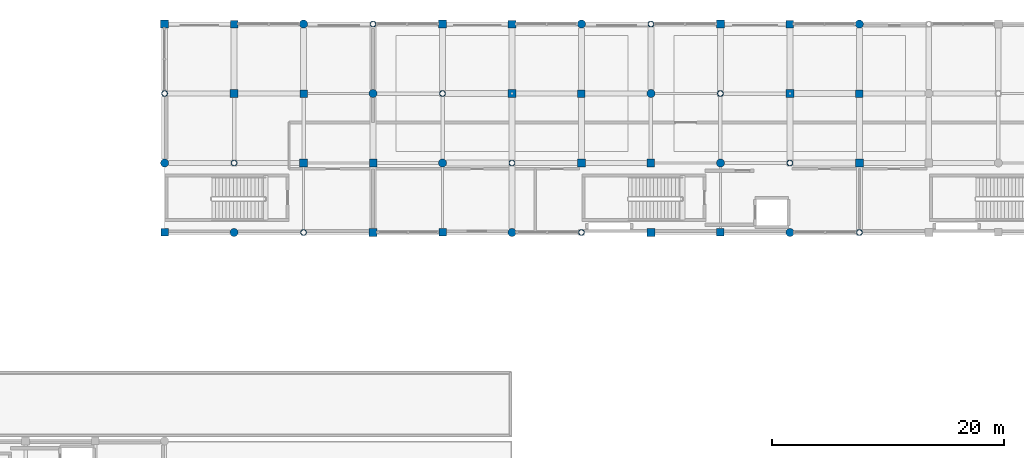
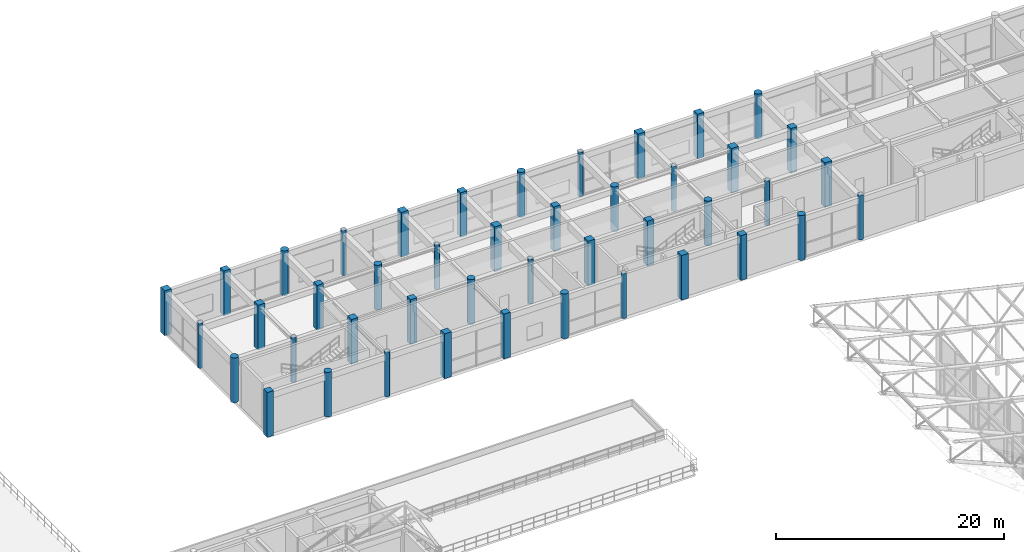
# One storey, part 11 of 112: 44 columns.
"""IFC4 building model written with IfcOpenShell, lengths in metres."""

from ifc_helpers import new_model, si_unit, direction, frame, origin, origin_2d, place, context, subcontext, project, spatial, rectangle, circle, hollow_circle, extrude, material, material_profile, profile_set, type_object, element, save


model = new_model("IFC4")

# Units and contexts
model_context = context("Model", 3, precision=1e-05, world=origin(), true_north=direction((0.0, 1.0)))
body_context = subcontext(model_context, "Body", "Model", "MODEL_VIEW")
ifc_project = project(units=[si_unit("LENGTHUNIT", "METRE"), si_unit("AREAUNIT", "SQUARE_METRE"), si_unit("VOLUMEUNIT", "CUBIC_METRE"), si_unit("PLANEANGLEUNIT", "RADIAN"), si_unit("MASSUNIT", "GRAM", prefix="KILO"), si_unit("THERMODYNAMICTEMPERATUREUNIT", "KELVIN"), si_unit("POWERUNIT", "WATT")], contexts=[model_context])

# Site, building, storey
site_placement = place(None, origin())
site = spatial("IfcSite", under=ifc_project, at=site_placement, CompositionType="ELEMENT")
building_placement = place(site_placement, origin())
building = spatial("IfcBuilding", under=site, at=building_placement, Name="Phaisarnlok Congress Hotel", CompositionType="ELEMENT")
storey_placement = place(building_placement, frame((0.0, 0.0, 19.800048828125)))
storey = spatial("IfcBuildingStorey", under=building, at=storey_placement, Name="L04", CompositionType="ELEMENT", Elevation=19.800048828125)

# Columns
ifc_material_1 = material(Name="Concrete C50/60", Category="concrete")
ifc_material_profile_1 = material_profile(ifc_material_1, rectangle(XDim=0.64990234375, YDim=0.64990234375, at=origin_2d()), Name="RC 650x650")
ifc_profile_set_1 = profile_set([ifc_material_profile_1], Name="Concrete C50/60")
column_type_1 = type_object("IfcColumnType", Name="COL-RC-650", PredefinedType="COLUMN", material=ifc_profile_set_1)
for number, where, z_axis, x_axis, name in (
    (1, (66.0, 108.0, 0.0), (0.0, 0.0, 1.0), (1.0, 0.0, 0.0), "Column C-04 (L04)"),
    (2, (78.0, 120.0, 0.0), (0.0, 0.0, 1.0), (1.0, 0.0, 0.0), "Column C-04 (L04)"),
    (3, (84.0, 114.0, 0.0), (0.0, 0.0, 1.0), (1.0, 0.0, 0.0), "Column C-04 (L04)"),
    (4, (90.0, 108.0, 0.0), (0.0, 0.0, 1.0), (1.0, 0.0, 0.0), "Column C-04 (L04)"),
    (5, (102.0, 120.0, 0.0), (0.0, 0.0, 1.0), (1.0, 0.0, 0.0), "Column C-04 (L04)"),
    (6, (108.0, 114.0, 0.0), (0.0, 0.0, 1.0), (1.0, 0.0, 0.0), "Column C-04 (L04)"),
    (7, (114.0, 108.0, 0.0), (0.0, 0.0, 1.0), (1.0, 0.0, 0.0), "Column C-04 (L04)"),
    (8, (126.0, 120.0, 0.0), (0.0, 0.0, 1.0), (1.0, 0.0, 0.0), "Column C-04 (L04)"),
):
    element("IfcColumn", number, at=place(storey_placement, frame(where, z_axis=z_axis, x_axis=x_axis)), inside=storey, type_object=column_type_1, Name=name, PredefinedType="COLUMN", context=body_context, shape_type="SweptSolid", body=[
        extrude(rectangle(XDim=0.64990234375, YDim=0.64990234375, at=origin_2d()), origin(), (0.0, 0.0, 1.0), 4.800048828125),
    ])
ifc_material_profile_2 = material_profile(ifc_material_1, rectangle(XDim=0.64990234375, YDim=0.64990234375, at=origin_2d()), Name="RC 650x650")
ifc_profile_set_2 = profile_set([ifc_material_profile_2], Name="Concrete C50/60")
column_type_2 = type_object("IfcColumnType", Name="COL-RC-650-EXT", PredefinedType="COLUMN", material=ifc_profile_set_2)
for number, where, z_axis, x_axis, name in (
    (9, (72.0, 126.0, 0.0), (0.0, 0.0, 1.0), (1.0, 0.0, 0.0), "Column C-04E (L04)"),
    (10, (96.0, 126.0, 0.0), (0.0, 0.0, 1.0), (1.0, 0.0, 0.0), "Column C-04E (L04)"),
    (11, (120.0, 126.0, 0.0), (0.0, 0.0, 1.0), (1.0, 0.0, 0.0), "Column C-04E (L04)"),
):
    element("IfcColumn", number, at=place(storey_placement, frame(where, z_axis=z_axis, x_axis=x_axis)), inside=storey, type_object=column_type_2, Name=name, PredefinedType="COLUMN", context=body_context, shape_type="SweptSolid", body=[
        extrude(rectangle(XDim=0.64990234375, YDim=0.64990234375, at=origin_2d()), origin(), (0.0, 0.0, 1.0), 4.800048828125),
    ])
ifc_material_profile_3 = material_profile(ifc_material_1, rectangle(XDim=0.699951171875, YDim=0.699951171875, at=origin_2d()), Name="RC 700x700")
ifc_profile_set_3 = profile_set([ifc_material_profile_3], Name="Concrete C50/60")
column_type_3 = type_object("IfcColumnType", Name="COL-RC-700", PredefinedType="COLUMN", material=ifc_profile_set_3)
for number, where, z_axis, x_axis, name in (
    (12, (72.0, 120.0, 0.0), (0.0, 0.0, 1.0), (1.0, 0.0, 0.0), "Column C-05 (L04)"),
    (13, (78.0, 114.0, 0.0), (0.0, 0.0, 1.0), (1.0, 0.0, 0.0), "Column C-05 (L04)"),
    (14, (84.0, 108.0, 0.0), (0.0, 0.0, 1.0), (1.0, 0.0, 0.0), "Column C-05 (L04)"),
    (15, (96.0, 120.0, 0.0), (0.0, 0.0, 1.0), (1.0, 0.0, 0.0), "Column C-05 (L04)"),
    (16, (102.0, 114.0, 0.0), (0.0, 0.0, 1.0), (1.0, 0.0, 0.0), "Column C-05 (L04)"),
    (17, (108.0, 108.0, 0.0), (0.0, 0.0, 1.0), (1.0, 0.0, 0.0), "Column C-05 (L04)"),
    (18, (120.0, 120.0, 0.0), (0.0, 0.0, 1.0), (1.0, 0.0, 0.0), "Column C-05 (L04)"),
    (19, (126.0, 114.0, 0.0), (0.0, 0.0, 1.0), (1.0, 0.0, 0.0), "Column C-05 (L04)"),
):
    element("IfcColumn", number, at=place(storey_placement, frame(where, z_axis=z_axis, x_axis=x_axis)), inside=storey, type_object=column_type_3, Name=name, PredefinedType="COLUMN", context=body_context, shape_type="SweptSolid", body=[
        extrude(rectangle(XDim=0.699951171875, YDim=0.699951171875, at=origin_2d()), origin(), (0.0, 0.0, 1.0), 4.800048828125),
    ])
ifc_material_profile_4 = material_profile(ifc_material_1, rectangle(XDim=0.699951171875, YDim=0.699951171875, at=origin_2d()), Name="RC 700x700")
ifc_profile_set_4 = profile_set([ifc_material_profile_4], Name="Concrete C50/60")
column_type_4 = type_object("IfcColumnType", Name="COL-RC-700-EXT", PredefinedType="COLUMN", material=ifc_profile_set_4)
for number, where, z_axis, x_axis, name in (
    (20, (66.0, 126.0, 0.0), (0.0, 0.0, 1.0), (1.0, 0.0, 0.0), "Column C-05E (L04)"),
    (21, (90.0, 126.0, 0.0), (0.0, 0.0, 1.0), (1.0, 0.0, 0.0), "Column C-05E (L04)"),
    (22, (114.0, 126.0, 0.0), (0.0, 0.0, 1.0), (1.0, 0.0, 0.0), "Column C-05E (L04)"),
):
    element("IfcColumn", number, at=place(storey_placement, frame(where, z_axis=z_axis, x_axis=x_axis)), inside=storey, type_object=column_type_4, Name=name, PredefinedType="COLUMN", context=body_context, shape_type="SweptSolid", body=[
        extrude(rectangle(XDim=0.699951171875, YDim=0.699951171875, at=origin_2d()), origin(), (0.0, 0.0, 1.0), 4.800048828125),
    ])
ifc_material_profile_5 = material_profile(ifc_material_1, circle(Radius=0.35009765625, at=origin_2d()), Name="RCC D700")
ifc_profile_set_5 = profile_set([ifc_material_profile_5], Name="Concrete C50/60")
column_type_5 = type_object("IfcColumnType", Name="COL-RCC-700", PredefinedType="COLUMN", material=ifc_profile_set_5)
for number, where, z_axis, x_axis, name in (
    (23, (66.0, 114.0, 0.0), (0.0, 0.0, 1.0), (1.0, 0.0, 0.0), "Column C-13 (L04)"),
    (24, (72.0, 108.0, 0.0), (0.0, 0.0, 1.0), (1.0, 0.0, 0.0), "Column C-13 (L04)"),
    (25, (84.0, 120.0, 0.0), (0.0, 0.0, 1.0), (1.0, 0.0, 0.0), "Column C-13 (L04)"),
    (26, (90.0, 114.0, 0.0), (0.0, 0.0, 1.0), (1.0, 0.0, 0.0), "Column C-13 (L04)"),
    (27, (96.0, 108.0, 0.0), (0.0, 0.0, 1.0), (1.0, 0.0, 0.0), "Column C-13 (L04)"),
    (28, (108.0, 120.0, 0.0), (0.0, 0.0, 1.0), (1.0, 0.0, 0.0), "Column C-13 (L04)"),
    (29, (114.0, 114.0, 0.0), (0.0, 0.0, 1.0), (1.0, 0.0, 0.0), "Column C-13 (L04)"),
    (30, (120.0, 108.0, 0.0), (0.0, 0.0, 1.0), (1.0, 0.0, 0.0), "Column C-13 (L04)"),
):
    element("IfcColumn", number, at=place(storey_placement, frame(where, z_axis=z_axis, x_axis=x_axis)), inside=storey, type_object=column_type_5, Name=name, PredefinedType="COLUMN", context=body_context, shape_type="SweptSolid", body=[
        extrude(circle(Radius=0.35009765625, at=origin_2d()), origin(), (0.0, 0.0, 1.0), 4.800048828125),
    ])
ifc_material_profile_6 = material_profile(ifc_material_1, circle(Radius=0.35009765625, at=origin_2d()), Name="RCC D700")
ifc_profile_set_6 = profile_set([ifc_material_profile_6], Name="Concrete C50/60")
column_type_6 = type_object("IfcColumnType", Name="COL-RCC-700-EXT", PredefinedType="COLUMN", material=ifc_profile_set_6)
for number, where, z_axis, x_axis, name in (
    (31, (78.0, 126.0, 0.0), (0.0, 0.0, 1.0), (1.0, 0.0, 0.0), "Column C-13E (L04)"),
    (32, (102.0, 126.0, 0.0), (0.0, 0.0, 1.0), (1.0, 0.0, 0.0), "Column C-13E (L04)"),
    (33, (126.0, 126.0, 0.0), (0.0, 0.0, 1.0), (1.0, 0.0, 0.0), "Column C-13E (L04)"),
):
    element("IfcColumn", number, at=place(storey_placement, frame(where, z_axis=z_axis, x_axis=x_axis)), inside=storey, type_object=column_type_6, Name=name, PredefinedType="COLUMN", context=body_context, shape_type="SweptSolid", body=[
        extrude(circle(Radius=0.35009765625, at=origin_2d()), origin(), (0.0, 0.0, 1.0), 4.800048828125),
    ])
ifc_material_2 = material(Name="Steel S355", Category="steel")
ifc_material_profile_7 = material_profile(ifc_material_2, hollow_circle(Radius=0.25390625, WallThickness=0.02490234375, at=origin_2d()), Name="CHS 508x25")
ifc_profile_set_7 = profile_set([ifc_material_profile_7], Name="Steel S355")
column_type_7 = type_object("IfcColumnType", Name="COL-STL-CHS508", PredefinedType="COLUMN", material=ifc_profile_set_7)
for number, where, z_axis, x_axis, name in (
    (34, (66.0, 120.0, 0.0), (0.0, 0.0, 1.0), (1.0, 0.0, 0.0), "Column SC-03 (L04)"),
    (35, (72.0, 114.0, 0.0), (0.0, 0.0, 1.0), (1.0, 0.0, 0.0), "Column SC-03 (L04)"),
    (36, (78.0, 108.0, 0.0), (0.0, 0.0, 1.0), (1.0, 0.0, 0.0), "Column SC-03 (L04)"),
    (37, (90.0, 120.0, 0.0), (0.0, 0.0, 1.0), (1.0, 0.0, 0.0), "Column SC-03 (L04)"),
    (38, (96.0, 114.0, 0.0), (0.0, 0.0, 1.0), (1.0, 0.0, 0.0), "Column SC-03 (L04)"),
    (39, (102.0, 108.0, 0.0), (0.0, 0.0, 1.0), (1.0, 0.0, 0.0), "Column SC-03 (L04)"),
    (40, (114.0, 120.0, 0.0), (0.0, 0.0, 1.0), (1.0, 0.0, 0.0), "Column SC-03 (L04)"),
    (41, (120.0, 114.0, 0.0), (0.0, 0.0, 1.0), (1.0, 0.0, 0.0), "Column SC-03 (L04)"),
    (42, (126.0, 108.0, 0.0), (0.0, 0.0, 1.0), (1.0, 0.0, 0.0), "Column SC-03 (L04)"),
):
    element("IfcColumn", number, at=place(storey_placement, frame(where, z_axis=z_axis, x_axis=x_axis)), inside=storey, type_object=column_type_7, Name=name, PredefinedType="COLUMN", context=body_context, shape_type="SweptSolid", body=[
        extrude(hollow_circle(Radius=0.25390625, WallThickness=0.02490234375, at=origin_2d()), origin(), (0.0, 0.0, 1.0), 4.800048828125),
    ])
ifc_material_profile_8 = material_profile(ifc_material_2, hollow_circle(Radius=0.25390625, WallThickness=0.02490234375, at=origin_2d()), Name="CHS 508x25")
ifc_profile_set_8 = profile_set([ifc_material_profile_8], Name="Steel S355")
column_type_8 = type_object("IfcColumnType", Name="COL-STL-CHS508-EXT", PredefinedType="COLUMN", material=ifc_profile_set_8)
for number, where, z_axis, x_axis, name in (
    (43, (84.0, 126.0, 0.0), (0.0, 0.0, 1.0), (1.0, 0.0, 0.0), "Column SC-03E (L04)"),
    (44, (108.0, 126.0, 0.0), (0.0, 0.0, 1.0), (1.0, 0.0, 0.0), "Column SC-03E (L04)"),
):
    element("IfcColumn", number, at=place(storey_placement, frame(where, z_axis=z_axis, x_axis=x_axis)), inside=storey, type_object=column_type_8, Name=name, PredefinedType="COLUMN", context=body_context, shape_type="SweptSolid", body=[
        extrude(hollow_circle(Radius=0.25390625, WallThickness=0.02490234375, at=origin_2d()), origin(), (0.0, 0.0, 1.0), 4.800048828125),
    ])

save(model, "model.ifc")
